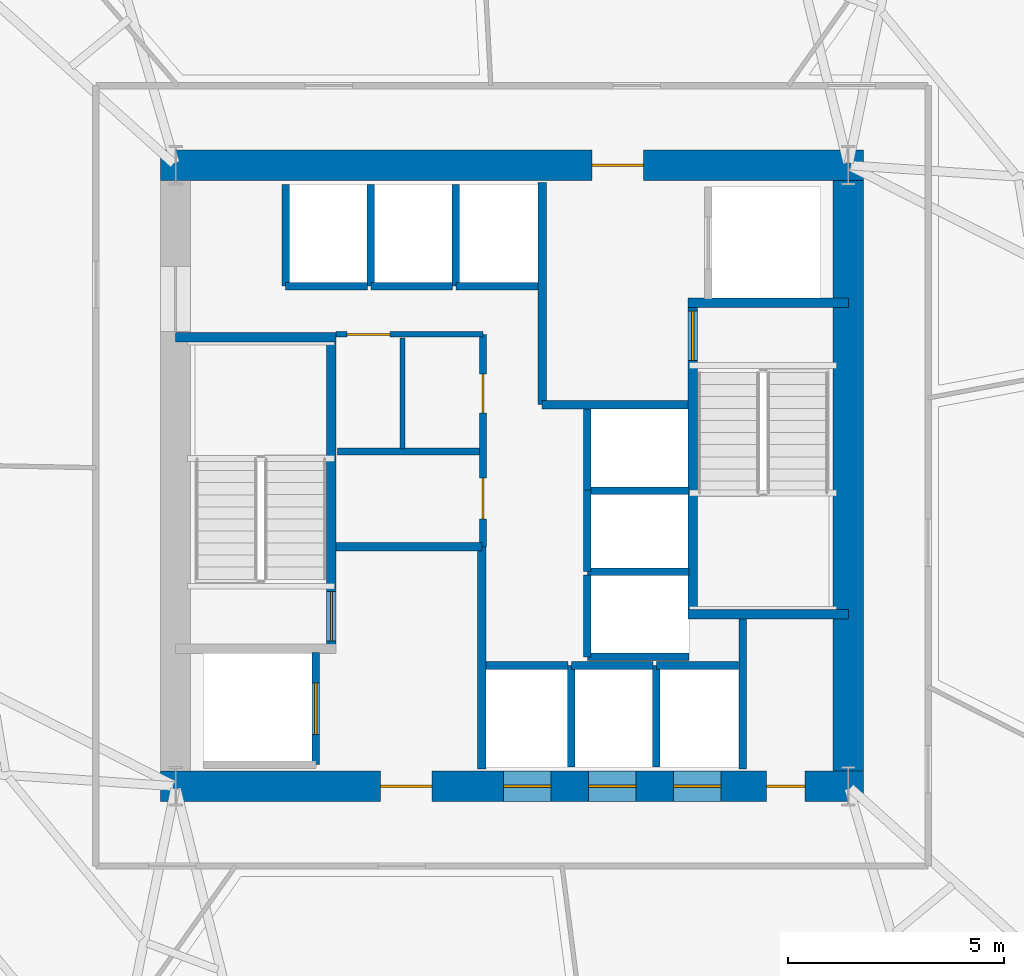
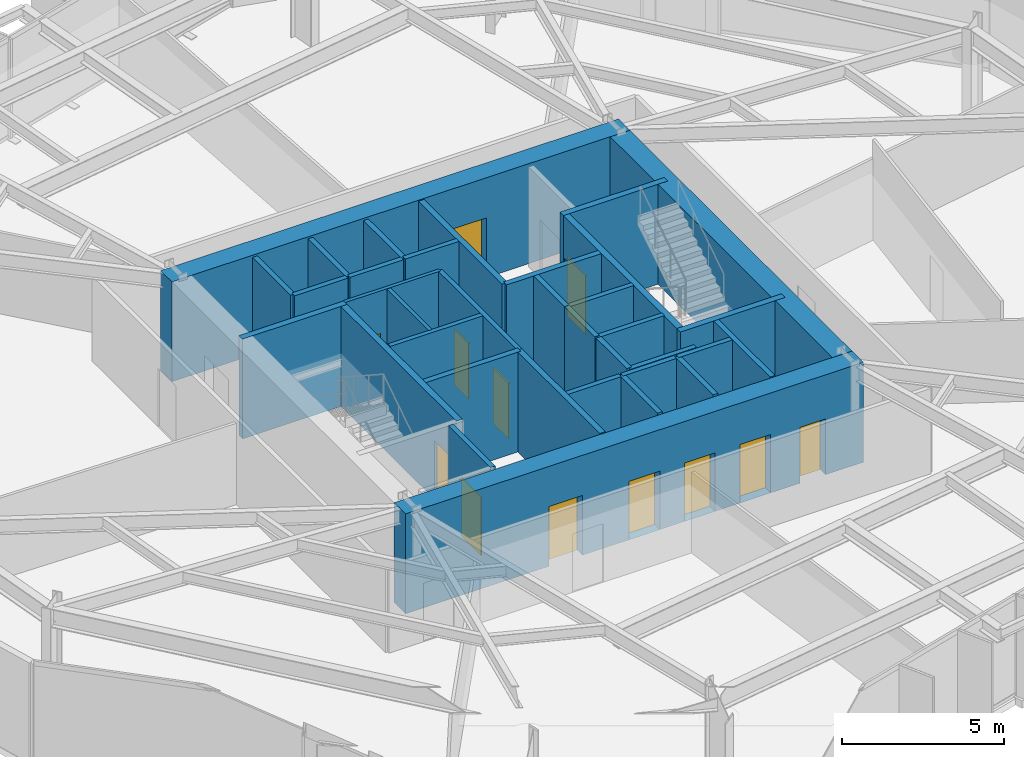
# One storey, part 6 of 10: 35 walls, 12 doors, 12 openings.
"""IFC4 building model written with IfcOpenShell, lengths in metres."""

from ifc_helpers import new_model, si_unit, direction, frame, frame_2d, origin, place, context, subcontext, project, spatial, rectangle, extrude, material, layer, layer_set, type_object, element, fill, save


model = new_model("IFC4")

# Units and contexts
model_context = context("Model", 3, precision=1e-05, world=origin(), true_north=direction((0.0, 1.0)))
body_context = subcontext(model_context, "Body", "Model", "MODEL_VIEW")
ifc_project = project(units=[si_unit("LENGTHUNIT", "METRE"), si_unit("AREAUNIT", "SQUARE_METRE"), si_unit("VOLUMEUNIT", "CUBIC_METRE"), si_unit("PLANEANGLEUNIT", "RADIAN"), si_unit("MASSUNIT", "GRAM", prefix="KILO")], contexts=[model_context])

# Site, building, storey
site_placement = place(None, origin())
site = spatial("IfcSite", under=ifc_project, at=site_placement, CompositionType="ELEMENT")
building_placement = place(site_placement, origin())
building = spatial("IfcBuilding", under=site, at=building_placement, Name="Kranzbogen Civic Tower", CompositionType="ELEMENT")
storey_placement = place(building_placement, frame((0.0, 0.0, 84.0)))
storey = spatial("IfcBuildingStorey", under=building, at=storey_placement, Name="L20", CompositionType="ELEMENT", Elevation=84.0)

# Wall, opening, door
ifc_material_1 = material(Name="Insulated Metal-Stud Gypsum Partition")
ifc_layer_1 = layer(ifc_material_1, 0.125, Name="Insulated Metal-Stud Gypsum Partition")
ifc_layer_set_1 = layer_set([ifc_layer_1], Name="Insulated Metal-Stud Gypsum Partition")
wall_type_1 = type_object("IfcWallType", Name="Acoustic Inter-Room Partition 125 mm", PredefinedType="PARTITIONING", material=ifc_layer_set_1)
wall_1_placement = place(storey_placement, frame((20.919921875, 28.280029296875, 0.0), z_axis=(0.0, 0.0, 1.0), x_axis=(1.0, 0.0, 0.0)))
wall_1 = element("IfcWall", 1, at=wall_1_placement, inside=storey, type_object=wall_type_1, Name="L20 core auxiliary North wall", PredefinedType="PARTITIONING", context=body_context, shape_type="SweptSolid", body=[
    extrude(rectangle(XDim=3.405029296875, YDim=0.125, at=frame_2d((1.70263671875, 0.0))), origin(), (0.0, 0.0, 1.0), 3.760009765625),
])
opening_1_placement = place(wall_1_placement, frame((0.2548828125, 0.0, 0.0)))
opening_1 = element("IfcOpeningElement", 2, at=opening_1_placement, cuts=wall_1, Name="Opening D-RSR10", PredefinedType="OPENING", context=body_context, shape_type="SweptSolid", body=[
    extrude(rectangle(XDim=1.0, YDim=2.14990234375, at=frame_2d((0.5, 1.074951171875))), frame((0.0, 0.072509765625, 0.0), z_axis=(0.0, -1.0, 0.0), x_axis=(1.0, 0.0, 0.0)), (0.0, 0.0, 1.0), 0.14501953125),
])
ifc_material_2 = material(Name="Oak Timber and Fire Core", Category="wood")
door_type_1 = type_object("IfcDoorType", Name="Core Archive and Riser Fire Door 1000x2150", OperationType="NOTDEFINED", PredefinedType="DOOR", material=ifc_material_2)
door_1_placement = place(opening_1_placement, origin())
door_1 = element("IfcDoor", 3, at=door_1_placement, inside=storey, type_object=door_type_1, Name="L20 Telecom and Riser Room door", OperationType="SINGLE_SWING_LEFT", OverallHeight=2.14990234375, OverallWidth=1.0, PredefinedType="DOOR", context=body_context, shape_type="SweptSolid", body=[
    extrude(rectangle(XDim=1.0, YDim=2.14990234375, at=frame_2d((0.5, 1.074951171875))), frame((0.0, 0.02490234375, 0.0), z_axis=(0.0, -1.0, 0.0), x_axis=(1.0, 0.0, 0.0)), (0.0, 0.0, 1.0), 0.050048828125),
])
fill(opening_1, door_1)

# Wall
wall_2_placement = place(storey_placement, frame((22.4599609375, 25.6201171875, 0.0), z_axis=(0.0, 0.0, 1.0), x_axis=(0.0, 1.0, 0.0)))
element("IfcWall", 4, at=wall_2_placement, inside=storey, type_object=wall_type_1, Name="L20 core auxiliary partition 2", PredefinedType="PARTITIONING", context=body_context, shape_type="SweptSolid", body=[
    extrude(rectangle(XDim=2.579833984375, YDim=0.125, at=frame_2d((1.2900390625, 0.0))), origin(), (0.0, 0.0, 1.0), 3.760009765625),
])

# Wall, openings, doors
ifc_material_3 = material(Name="Concrete C55/67", Category="concrete")
ifc_layer_2 = layer(ifc_material_3, 0.699951171875, Name="Concrete C55/67")
ifc_layer_set_2 = layer_set([ifc_layer_2], Name="Concrete C55/67")
wall_type_2 = type_object("IfcWallType", Name="Central Core Shear Wall 700 mm", PredefinedType="SHEAR", material=ifc_layer_set_2)
wall_3_placement = place(storey_placement, frame((16.85009765625, 17.800048828125, 0.0), z_axis=(0.0, 0.0, 1.0), x_axis=(1.0, 0.0, 0.0)))
wall_3 = element("IfcWall", 5, at=wall_3_placement, inside=storey, type_object=wall_type_2, Name="L20 central core South shear wall", PredefinedType="SHEAR", context=body_context, shape_type="SweptSolid", body=[
    extrude(rectangle(XDim=16.2998046875, YDim=0.699951171875, at=frame_2d((8.14990234375, 0.0))), origin(), (0.0, 0.0, 1.0), 3.760009765625),
])
opening_2_placement = place(wall_3_placement, frame((5.10009765625, 0.0, 0.0)))
opening_2 = element("IfcOpeningElement", 6, at=opening_2_placement, cuts=wall_3, Name="Opening D-EX120", PredefinedType="OPENING", context=body_context, shape_type="SweptSolid", body=[
    extrude(rectangle(XDim=1.199951171875, YDim=2.25, at=frame_2d((0.60009765625, 1.125))), frame((0.0, 0.35986328125, 0.0), z_axis=(0.0, -1.0, 0.0), x_axis=(1.0, 0.0, 0.0)), (0.0, 0.0, 1.0), 0.719970703125),
])
opening_3_placement = place(wall_3_placement, frame((14.050048828125, 0.0, 0.0)))
opening_3 = element("IfcOpeningElement", 7, at=opening_3_placement, cuts=wall_3, Name="Opening D-WC90", PredefinedType="OPENING", context=body_context, shape_type="SweptSolid", body=[
    extrude(rectangle(XDim=0.89990234375, YDim=2.10009765625, at=frame_2d((0.449951171875, 1.050048828125))), frame((0.0, 0.35986328125, 0.0), z_axis=(0.0, -1.0, 0.0), x_axis=(1.0, 0.0, 0.0)), (0.0, 0.0, 1.0), 0.719970703125),
])
opening_4_placement = place(wall_3_placement, frame((7.949951171875, 0.0, 0.0)))
opening_4 = element("IfcOpeningElement", 8, at=opening_4_placement, cuts=wall_3, Name="Opening LD-LP-01", PredefinedType="OPENING", context=body_context, shape_type="SweptSolid", body=[
    extrude(rectangle(XDim=1.10009765625, YDim=2.199951171875, at=frame_2d((0.550048828125, 1.10009765625))), frame((0.0, 0.35986328125, 0.0), z_axis=(0.0, -1.0, 0.0), x_axis=(1.0, 0.0, 0.0)), (0.0, 0.0, 1.0), 0.719970703125),
])
opening_5_placement = place(wall_3_placement, frame((9.925048828125, 0.0, 0.0)))
opening_5 = element("IfcOpeningElement", 9, at=opening_5_placement, cuts=wall_3, Name="Opening LD-LP-02", PredefinedType="OPENING", context=body_context, shape_type="SweptSolid", body=[
    extrude(rectangle(XDim=1.10009765625, YDim=2.199951171875, at=frame_2d((0.550048828125, 1.10009765625))), frame((0.0, 0.35986328125, 0.0), z_axis=(0.0, -1.0, 0.0), x_axis=(1.0, 0.0, 0.0)), (0.0, 0.0, 1.0), 0.719970703125),
])
opening_6_placement = place(wall_3_placement, frame((11.89990234375, 0.0, 0.0)))
opening_6 = element("IfcOpeningElement", 10, at=opening_6_placement, cuts=wall_3, Name="Opening LD-LP-03", PredefinedType="OPENING", context=body_context, shape_type="SweptSolid", body=[
    extrude(rectangle(XDim=1.10009765625, YDim=2.199951171875, at=frame_2d((0.550048828125, 1.10009765625))), frame((0.0, 0.35986328125, 0.0), z_axis=(0.0, -1.0, 0.0), x_axis=(1.0, 0.0, 0.0)), (0.0, 0.0, 1.0), 0.719970703125),
])
ifc_material_4 = material(Name="Steel S355", Category="steel")
door_type_2 = type_object("IfcDoorType", Name="Exit Passageway Fire Door 1200x2250", OperationType="NOTDEFINED", PredefinedType="DOOR", material=ifc_material_4)
door_2_placement = place(opening_2_placement, origin())
door_2 = element("IfcDoor", 11, at=door_2_placement, inside=storey, type_object=door_type_2, Name="L20 West firefighting lobby corridor door", OperationType="SINGLE_SWING_RIGHT", OverallHeight=2.25, OverallWidth=1.199951171875, PredefinedType="DOOR", context=body_context, shape_type="SweptSolid", body=[
    extrude(rectangle(XDim=1.199951171875, YDim=2.25, at=frame_2d((0.60009765625, 1.125))), frame((0.0, 0.02490234375, 0.0), z_axis=(0.0, -1.0, 0.0), x_axis=(1.0, 0.0, 0.0)), (0.0, 0.0, 1.0), 0.050048828125),
])
fill(opening_2, door_2)
ifc_material_5 = material(Name="Pale Anodised Aluminium", Category="aluminium")
door_type_3 = type_object("IfcDoorType", Name="Passenger Lift Sliding Landing Door 1100x2200", OperationType="DOUBLE_DOOR_SLIDING", PredefinedType="DOOR", material=ifc_material_5)
door_3_placement = place(opening_4_placement, origin())
door_3 = element("IfcDoor", 12, at=door_3_placement, inside=storey, type_object=door_type_3, Name="L20 lift LP-01 sliding landing door", OperationType="DOUBLE_DOOR_SLIDING", OverallHeight=2.199951171875, OverallWidth=1.10009765625, PredefinedType="DOOR", context=body_context, shape_type="SweptSolid", body=[
    extrude(rectangle(XDim=1.10009765625, YDim=2.199951171875, at=frame_2d((0.550048828125, 1.10009765625))), frame((0.0, 0.02490234375, 0.0), z_axis=(0.0, -1.0, 0.0), x_axis=(1.0, 0.0, 0.0)), (0.0, 0.0, 1.0), 0.050048828125),
])
fill(opening_4, door_3)
door_4_placement = place(opening_5_placement, origin())
door_4 = element("IfcDoor", 13, at=door_4_placement, inside=storey, type_object=door_type_3, Name="L20 lift LP-02 sliding landing door", OperationType="DOUBLE_DOOR_SLIDING", OverallHeight=2.199951171875, OverallWidth=1.10009765625, PredefinedType="DOOR", context=body_context, shape_type="SweptSolid", body=[
    extrude(rectangle(XDim=1.10009765625, YDim=2.199951171875, at=frame_2d((0.550048828125, 1.10009765625))), frame((0.0, 0.02490234375, 0.0), z_axis=(0.0, -1.0, 0.0), x_axis=(1.0, 0.0, 0.0)), (0.0, 0.0, 1.0), 0.050048828125),
])
fill(opening_5, door_4)
door_5_placement = place(opening_6_placement, origin())
door_5 = element("IfcDoor", 14, at=door_5_placement, inside=storey, type_object=door_type_3, Name="L20 lift LP-03 sliding landing door", OperationType="DOUBLE_DOOR_SLIDING", OverallHeight=2.199951171875, OverallWidth=1.10009765625, PredefinedType="DOOR", context=body_context, shape_type="SweptSolid", body=[
    extrude(rectangle(XDim=1.10009765625, YDim=2.199951171875, at=frame_2d((0.550048828125, 1.10009765625))), frame((0.0, 0.02490234375, 0.0), z_axis=(0.0, -1.0, 0.0), x_axis=(1.0, 0.0, 0.0)), (0.0, 0.0, 1.0), 0.050048828125),
])
fill(opening_6, door_5)
ifc_material_6 = material(Name="Moisture-Resistant Laminate")
door_type_4 = type_object("IfcDoorType", Name="Standard Restroom and Store Door 900x2100", OperationType="NOTDEFINED", PredefinedType="DOOR", material=ifc_material_6)
door_6_placement = place(opening_3_placement, origin())
door_6 = element("IfcDoor", 15, at=door_6_placement, inside=storey, type_object=door_type_4, Name="L20 East electrical riser access door", OperationType="SINGLE_SWING_LEFT", OverallHeight=2.10009765625, OverallWidth=0.89990234375, PredefinedType="DOOR", context=body_context, shape_type="SweptSolid", body=[
    extrude(rectangle(XDim=0.89990234375, YDim=2.10009765625, at=frame_2d((0.449951171875, 1.050048828125))), frame((0.0, 0.02490234375, 0.0), z_axis=(0.0, -1.0, 0.0), x_axis=(1.0, 0.0, 0.0)), (0.0, 0.0, 1.0), 0.050048828125),
])
fill(opening_3, door_6)

# Wall, opening, door
wall_4_placement = place(storey_placement, frame((33.14990234375, 32.199951171875, 0.0), z_axis=(0.0, 0.0, 1.0), x_axis=(-1.0, 0.0, 0.0)))
wall_4 = element("IfcWall", 16, at=wall_4_placement, inside=storey, type_object=wall_type_2, Name="L20 central core North shear wall", PredefinedType="SHEAR", context=body_context, shape_type="SweptSolid", body=[
    extrude(rectangle(XDim=16.2998046875, YDim=0.699951171875, at=frame_2d((8.14990234375, 0.0))), origin(), (0.0, 0.0, 1.0), 3.760009765625),
])
opening_7_placement = place(wall_4_placement, frame((5.10009765625, 0.0, 0.0)))
opening_7 = element("IfcOpeningElement", 17, at=opening_7_placement, cuts=wall_4, Name="Opening D-EX120", PredefinedType="OPENING", context=body_context, shape_type="SweptSolid", body=[
    extrude(rectangle(XDim=1.199951171875, YDim=2.25, at=frame_2d((0.60009765625, 1.125))), frame((0.0, 0.35986328125, 0.0), z_axis=(0.0, -1.0, 0.0), x_axis=(1.0, 0.0, 0.0)), (0.0, 0.0, 1.0), 0.719970703125),
])
door_7_placement = place(opening_7_placement, origin())
door_7 = element("IfcDoor", 18, at=door_7_placement, inside=storey, type_object=door_type_2, Name="L20 East firefighting lobby corridor door", OperationType="SINGLE_SWING_LEFT", OverallHeight=2.25, OverallWidth=1.199951171875, PredefinedType="DOOR", context=body_context, shape_type="SweptSolid", body=[
    extrude(rectangle(XDim=1.199951171875, YDim=2.25, at=frame_2d((0.60009765625, 1.125))), frame((0.0, 0.02490234375, 0.0), z_axis=(0.0, -1.0, 0.0), x_axis=(1.0, 0.0, 0.0)), (0.0, 0.0, 1.0), 0.050048828125),
])
fill(opening_7, door_7)

# Wall
wall_5_placement = place(storey_placement, frame((32.800048828125, 18.14990234375, 0.0), z_axis=(0.0, 0.0, 1.0), x_axis=(0.0, 1.0, 0.0)))
element("IfcWall", 19, at=wall_5_placement, inside=storey, type_object=wall_type_2, Name="L20 central core East shear wall", PredefinedType="SHEAR", context=body_context, shape_type="SweptSolid", body=[
    extrude(rectangle(XDim=13.7001953125, YDim=0.699951171875, at=frame_2d((6.85009765625, 0.0))), origin(), (0.0, 0.0, 1.0), 3.760009765625),
])

# Wall, opening, door
ifc_material_7 = material(Name="Concrete C45/55", Category="concrete")
ifc_layer_3 = layer(ifc_material_7, 0.219970703125, Name="Concrete C45/55")
ifc_layer_set_3 = layer_set([ifc_layer_3], Name="Concrete C45/55")
wall_type_3 = type_object("IfcWallType", Name="Core Internal Stair Structural Wall 220 mm", PredefinedType="SOLIDWALL", material=ifc_layer_set_3)
wall_6_placement = place(storey_placement, frame((20.81005859375, 20.989990234375, 0.0), z_axis=(0.0, 0.0, 1.0), x_axis=(0.0, 1.0, 0.0)))
wall_6 = element("IfcWall", 20, at=wall_6_placement, inside=storey, type_object=wall_type_3, Name="L20 ST-T1 East structural stair wall", PredefinedType="SOLIDWALL", context=body_context, shape_type="SweptSolid", body=[
    extrude(rectangle(XDim=7.219970703125, YDim=0.219970703125, at=frame_2d((3.60986328125, 0.0))), origin(), (0.0, 0.0, 1.0), 3.760009765625),
])
opening_8_placement = place(wall_6_placement, frame((0.179931640625, 0.0, 0.0)))
opening_8 = element("IfcOpeningElement", 21, at=opening_8_placement, cuts=wall_6, Name="Opening D-ST90", PredefinedType="OPENING", context=body_context, shape_type="SweptSolid", body=[
    extrude(rectangle(XDim=1.14990234375, YDim=2.199951171875, at=frame_2d((0.574951171875, 1.10009765625))), frame((0.0, 0.1201171875, 0.0), z_axis=(0.0, -1.0, 0.0), x_axis=(1.0, 0.0, 0.0)), (0.0, 0.0, 1.0), 0.239990234375),
])
door_type_5 = type_object("IfcDoorType", Name="Pressurized Stair and Lobby Fire Door 1150x2200", OperationType="NOTDEFINED", PredefinedType="DOOR", material=ifc_material_4)
door_8_placement = place(opening_8_placement, origin())
door_8 = element("IfcDoor", 22, at=door_8_placement, inside=storey, type_object=door_type_5, Name="L20 Stair ST-T1 fire door", OperationType="SINGLE_SWING_RIGHT", OverallHeight=2.199951171875, OverallWidth=1.14990234375, PredefinedType="DOOR", context=body_context, shape_type="SweptSolid", body=[
    extrude(rectangle(XDim=1.14990234375, YDim=2.199951171875, at=frame_2d((0.574951171875, 1.10009765625))), frame((0.0, 0.02490234375, 0.0), z_axis=(0.0, -1.0, 0.0), x_axis=(1.0, 0.0, 0.0)), (0.0, 0.0, 1.0), 0.050048828125),
])
fill(opening_8, door_8)

# Wall
wall_7_placement = place(storey_placement, frame((17.199951171875, 28.2099609375, 0.0), z_axis=(0.0, 0.0, 1.0), x_axis=(1.0, 0.0, 0.0)))
element("IfcWall", 23, at=wall_7_placement, inside=storey, type_object=wall_type_3, Name="L20 ST-T1 North structural stair wall", PredefinedType="SOLIDWALL", context=body_context, shape_type="SweptSolid", body=[
    extrude(rectangle(XDim=3.719970703125, YDim=0.219970703125, at=frame_2d((1.85986328125, 0.0))), origin(), (0.0, 0.0, 1.0), 3.760009765625),
])

# Wall, opening, door
wall_8_placement = place(storey_placement, frame((29.18994140625, 21.7900390625, 0.0), z_axis=(0.0, 0.0, 1.0), x_axis=(0.0, 1.0, 0.0)))
wall_8 = element("IfcWall", 24, at=wall_8_placement, inside=storey, type_object=wall_type_3, Name="L20 ST-T2 West structural stair wall", PredefinedType="SOLIDWALL", context=body_context, shape_type="SweptSolid", body=[
    extrude(rectangle(XDim=7.219970703125, YDim=0.219970703125, at=frame_2d((3.60986328125, 0.0))), origin(), (0.0, 0.0, 1.0), 3.760009765625),
])
opening_9_placement = place(wall_8_placement, frame((5.8798828125, 0.0, 0.0)))
opening_9 = element("IfcOpeningElement", 25, at=opening_9_placement, cuts=wall_8, Name="Opening D-ST90", PredefinedType="OPENING", context=body_context, shape_type="SweptSolid", body=[
    extrude(rectangle(XDim=1.14990234375, YDim=2.199951171875, at=frame_2d((0.574951171875, 1.10009765625))), frame((0.0, 0.1201171875, 0.0), z_axis=(0.0, -1.0, 0.0), x_axis=(1.0, 0.0, 0.0)), (0.0, 0.0, 1.0), 0.239990234375),
])
door_9_placement = place(opening_9_placement, origin())
door_9 = element("IfcDoor", 26, at=door_9_placement, inside=storey, type_object=door_type_5, Name="L20 Stair ST-T2 fire door", OperationType="SINGLE_SWING_LEFT", OverallHeight=2.199951171875, OverallWidth=1.14990234375, PredefinedType="DOOR", context=body_context, shape_type="SweptSolid", body=[
    extrude(rectangle(XDim=1.14990234375, YDim=2.199951171875, at=frame_2d((0.574951171875, 1.10009765625))), frame((0.0, 0.02490234375, 0.0), z_axis=(0.0, -1.0, 0.0), x_axis=(1.0, 0.0, 0.0)), (0.0, 0.0, 1.0), 0.050048828125),
])
fill(opening_9, door_9)

# Walls
for number, where, z_axis, x_axis, name in (
    (27, (29.080078125, 21.7900390625, 0.0), (0.0, 0.0, 1.0), (1.0, 0.0, 0.0), "L20 ST-T2 South structural stair wall"),
    (28, (29.080078125, 29.010009765625, 0.0), (0.0, 0.0, 1.0), (1.0, 0.0, 0.0), "L20 ST-T2 North structural stair wall"),
):
    element("IfcWall", number, at=place(storey_placement, frame(where, z_axis=z_axis, x_axis=x_axis)), inside=storey, type_object=wall_type_3, Name=name, PredefinedType="SOLIDWALL", context=body_context, shape_type="SweptSolid", body=[
        extrude(rectangle(XDim=3.719970703125, YDim=0.219970703125, at=frame_2d((1.85986328125, 0.0))), origin(), (0.0, 0.0, 1.0), 3.760009765625),
    ])
ifc_material_8 = material(Name="Gypsum Fireboard and Concrete Block", Category="concrete")
ifc_layer_4 = layer(ifc_material_8, 0.199951171875, Name="Gypsum Fireboard and Concrete Block")
ifc_layer_set_4 = layer_set([ifc_layer_4], Name="Gypsum Fireboard and Concrete Block")
wall_type_4 = type_object("IfcWallType", Name="Fire-Rated Exit Passageway and Stair Wall 200 mm", PredefinedType="PARTITIONING", material=ifc_layer_set_4)
wall_9_placement = place(storey_placement, frame((24.300048828125, 18.199951171875, 0.0), z_axis=(0.0, 0.0, 1.0), x_axis=(0.0, 1.0, 0.0)))
element("IfcWall", 29, at=wall_9_placement, inside=storey, type_object=wall_type_4, Name="L20 West firefighting lobby East wall", PredefinedType="PARTITIONING", context=body_context, shape_type="SweptSolid", body=[
    extrude(rectangle(XDim=5.150146484375, YDim=0.199951171875, at=frame_2d((2.5751953125, 0.0))), origin(), (0.0, 0.0, 1.0), 3.760009765625),
])
wall_10_placement = place(storey_placement, frame((20.919921875, 23.35009765625, 0.0), z_axis=(0.0, 0.0, 1.0), x_axis=(1.0, 0.0, 0.0)))
element("IfcWall", 30, at=wall_10_placement, inside=storey, type_object=wall_type_4, Name="L20 West firefighting lobby North wall", PredefinedType="PARTITIONING", context=body_context, shape_type="SweptSolid", body=[
    extrude(rectangle(XDim=3.380126953125, YDim=0.199951171875, at=frame_2d((1.68994140625, 0.0))), origin(), (0.0, 0.0, 1.0), 3.760009765625),
])
wall_11_placement = place(storey_placement, frame((25.699951171875, 26.64990234375, 0.0), z_axis=(0.0, 0.0, 1.0), x_axis=(0.0, 1.0, 0.0)))
element("IfcWall", 31, at=wall_11_placement, inside=storey, type_object=wall_type_4, Name="L20 East firefighting lobby West wall", PredefinedType="PARTITIONING", context=body_context, shape_type="SweptSolid", body=[
    extrude(rectangle(XDim=5.150146484375, YDim=0.199951171875, at=frame_2d((2.5751953125, 0.0))), origin(), (0.0, 0.0, 1.0), 3.760009765625),
])
wall_12_placement = place(storey_placement, frame((25.699951171875, 26.64990234375, 0.0), z_axis=(0.0, 0.0, 1.0), x_axis=(1.0, 0.0, 0.0)))
element("IfcWall", 32, at=wall_12_placement, inside=storey, type_object=wall_type_4, Name="L20 East firefighting lobby South wall", PredefinedType="PARTITIONING", context=body_context, shape_type="SweptSolid", body=[
    extrude(rectangle(XDim=3.380126953125, YDim=0.199951171875, at=frame_2d((1.68994140625, 0.0))), origin(), (0.0, 0.0, 1.0), 3.760009765625),
])
ifc_material_9 = material(Name="Gypsum Fireboard Shaftliner")
ifc_layer_5 = layer(ifc_material_9, 0.175048828125, Name="Gypsum Fireboard Shaftliner")
ifc_layer_set_5 = layer_set([ifc_layer_5], Name="Gypsum Fireboard Shaftliner")
wall_type_5 = type_object("IfcWallType", Name="Fire-Rated Lift and Service Shaft Wall 175 mm", PredefinedType="PARTITIONING", material=ifc_layer_set_5)
wall_13_placement = place(storey_placement, frame((30.35009765625, 18.199951171875, 0.0), z_axis=(0.0, 0.0, 1.0), x_axis=(0.0, 1.0, 0.0)))
element("IfcWall", 33, at=wall_13_placement, inside=storey, type_object=wall_type_5, Name="L20 East core riser West wall", PredefinedType="PARTITIONING", context=body_context, shape_type="SweptSolid", body=[
    extrude(rectangle(XDim=3.47998046875, YDim=0.175048828125, at=frame_2d((1.739990234375, 0.0))), origin(), (0.0, 0.0, 1.0), 3.760009765625),
])
wall_14_placement = place(storey_placement, frame((24.39990234375, 20.60009765625, 0.0), z_axis=(0.0, 0.0, 1.0), x_axis=(1.0, 0.0, 0.0)))
element("IfcWall", 34, at=wall_14_placement, inside=storey, type_object=wall_type_5, Name="L20 lift LP-01 rear wall", PredefinedType="PARTITIONING", context=body_context, shape_type="SweptSolid", body=[
    extrude(rectangle(XDim=1.900146484375, YDim=0.175048828125, at=frame_2d((0.9501953125, 0.0))), origin(), (0.0, 0.0, 1.0), 3.760009765625),
])
wall_15_placement = place(storey_placement, frame((26.375, 20.60009765625, 0.0), z_axis=(0.0, 0.0, 1.0), x_axis=(1.0, 0.0, 0.0)))
element("IfcWall", 35, at=wall_15_placement, inside=storey, type_object=wall_type_5, Name="L20 lift LP-02 rear wall", PredefinedType="PARTITIONING", context=body_context, shape_type="SweptSolid", body=[
    extrude(rectangle(XDim=1.89990234375, YDim=0.175048828125, at=frame_2d((0.949951171875, 0.0))), origin(), (0.0, 0.0, 1.0), 3.760009765625),
])
wall_16_placement = place(storey_placement, frame((26.375, 18.25, 0.0), z_axis=(0.0, 0.0, 1.0), x_axis=(0.0, 1.0, 0.0)))
element("IfcWall", 36, at=wall_16_placement, inside=storey, type_object=wall_type_5, Name="L20 lift LP-02 side wall", PredefinedType="PARTITIONING", context=body_context, shape_type="SweptSolid", body=[
    extrude(rectangle(XDim=2.35009765625, YDim=0.175048828125, at=frame_2d((1.175048828125, 0.0))), origin(), (0.0, 0.0, 1.0), 3.760009765625),
])
wall_17_placement = place(storey_placement, frame((28.35009765625, 20.60009765625, 0.0), z_axis=(0.0, 0.0, 1.0), x_axis=(1.0, 0.0, 0.0)))
element("IfcWall", 37, at=wall_17_placement, inside=storey, type_object=wall_type_5, Name="L20 lift LP-03 rear wall", PredefinedType="PARTITIONING", context=body_context, shape_type="SweptSolid", body=[
    extrude(rectangle(XDim=1.89990234375, YDim=0.175048828125, at=frame_2d((0.949951171875, 0.0))), origin(), (0.0, 0.0, 1.0), 3.760009765625),
])
wall_18_placement = place(storey_placement, frame((28.35009765625, 18.25, 0.0), z_axis=(0.0, 0.0, 1.0), x_axis=(0.0, 1.0, 0.0)))
element("IfcWall", 38, at=wall_18_placement, inside=storey, type_object=wall_type_5, Name="L20 lift LP-03 side wall", PredefinedType="PARTITIONING", context=body_context, shape_type="SweptSolid", body=[
    extrude(rectangle(XDim=2.35009765625, YDim=0.175048828125, at=frame_2d((1.175048828125, 0.0))), origin(), (0.0, 0.0, 1.0), 3.760009765625),
])
wall_19_placement = place(storey_placement, frame((19.75, 29.39990234375, 0.0), z_axis=(0.0, 0.0, 1.0), x_axis=(1.0, 0.0, 0.0)))
element("IfcWall", 39, at=wall_19_placement, inside=storey, type_object=wall_type_5, Name="L20 lift MP-01 rear wall", PredefinedType="PARTITIONING", context=body_context, shape_type="SweptSolid", body=[
    extrude(rectangle(XDim=1.89990234375, YDim=0.175048828125, at=frame_2d((0.949951171875, 0.0))), origin(), (0.0, 0.0, 1.0), 3.760009765625),
])
wall_20_placement = place(storey_placement, frame((19.75, 29.39990234375, 0.0), z_axis=(0.0, 0.0, 1.0), x_axis=(0.0, 1.0, 0.0)))
element("IfcWall", 40, at=wall_20_placement, inside=storey, type_object=wall_type_5, Name="L20 lift MP-01 side wall", PredefinedType="PARTITIONING", context=body_context, shape_type="SweptSolid", body=[
    extrude(rectangle(XDim=2.35009765625, YDim=0.175048828125, at=frame_2d((1.175048828125, 0.0))), origin(), (0.0, 0.0, 1.0), 3.760009765625),
])
wall_21_placement = place(storey_placement, frame((21.72509765625, 29.39990234375, 0.0), z_axis=(0.0, 0.0, 1.0), x_axis=(1.0, 0.0, 0.0)))
element("IfcWall", 41, at=wall_21_placement, inside=storey, type_object=wall_type_5, Name="L20 lift MP-02 rear wall", PredefinedType="PARTITIONING", context=body_context, shape_type="SweptSolid", body=[
    extrude(rectangle(XDim=1.89990234375, YDim=0.175048828125, at=frame_2d((0.949951171875, 0.0))), origin(), (0.0, 0.0, 1.0), 3.760009765625),
])
wall_22_placement = place(storey_placement, frame((21.72509765625, 29.39990234375, 0.0), z_axis=(0.0, 0.0, 1.0), x_axis=(0.0, 1.0, 0.0)))
element("IfcWall", 42, at=wall_22_placement, inside=storey, type_object=wall_type_5, Name="L20 lift MP-02 side wall", PredefinedType="PARTITIONING", context=body_context, shape_type="SweptSolid", body=[
    extrude(rectangle(XDim=2.35009765625, YDim=0.175048828125, at=frame_2d((1.175048828125, 0.0))), origin(), (0.0, 0.0, 1.0), 3.760009765625),
])
wall_23_placement = place(storey_placement, frame((23.699951171875, 29.39990234375, 0.0), z_axis=(0.0, 0.0, 1.0), x_axis=(1.0, 0.0, 0.0)))
element("IfcWall", 43, at=wall_23_placement, inside=storey, type_object=wall_type_5, Name="L20 lift MP-03 rear wall", PredefinedType="PARTITIONING", context=body_context, shape_type="SweptSolid", body=[
    extrude(rectangle(XDim=1.900146484375, YDim=0.175048828125, at=frame_2d((0.9501953125, 0.0))), origin(), (0.0, 0.0, 1.0), 3.760009765625),
])
wall_24_placement = place(storey_placement, frame((23.699951171875, 29.39990234375, 0.0), z_axis=(0.0, 0.0, 1.0), x_axis=(0.0, 1.0, 0.0)))
element("IfcWall", 44, at=wall_24_placement, inside=storey, type_object=wall_type_5, Name="L20 lift MP-03 side wall", PredefinedType="PARTITIONING", context=body_context, shape_type="SweptSolid", body=[
    extrude(rectangle(XDim=2.35009765625, YDim=0.175048828125, at=frame_2d((1.175048828125, 0.0))), origin(), (0.0, 0.0, 1.0), 3.760009765625),
])
wall_25_placement = place(storey_placement, frame((26.75, 20.800048828125, 0.0), z_axis=(0.0, 0.0, 1.0), x_axis=(0.0, 1.0, 0.0)))
element("IfcWall", 45, at=wall_25_placement, inside=storey, type_object=wall_type_5, Name="L20 lift HP-01 landing wall", PredefinedType="PARTITIONING", context=body_context, shape_type="SweptSolid", body=[
    extrude(rectangle(XDim=1.89990234375, YDim=0.175048828125, at=frame_2d((0.949951171875, 0.0))), origin(), (0.0, 0.0, 1.0), 3.760009765625),
])
wall_26_placement = place(storey_placement, frame((26.75, 20.800048828125, 0.0), z_axis=(0.0, 0.0, 1.0), x_axis=(1.0, 0.0, 0.0)))
element("IfcWall", 46, at=wall_26_placement, inside=storey, type_object=wall_type_5, Name="L20 lift HP-01 side wall", PredefinedType="PARTITIONING", context=body_context, shape_type="SweptSolid", body=[
    extrude(rectangle(XDim=2.35009765625, YDim=0.175048828125, at=frame_2d((1.175048828125, 0.0))), origin(), (0.0, 0.0, 1.0), 3.760009765625),
])
wall_27_placement = place(storey_placement, frame((26.75, 22.77490234375, 0.0), z_axis=(0.0, 0.0, 1.0), x_axis=(0.0, 1.0, 0.0)))
element("IfcWall", 47, at=wall_27_placement, inside=storey, type_object=wall_type_5, Name="L20 lift HP-02 landing wall", PredefinedType="PARTITIONING", context=body_context, shape_type="SweptSolid", body=[
    extrude(rectangle(XDim=1.900146484375, YDim=0.175048828125, at=frame_2d((0.9501953125, 0.0))), origin(), (0.0, 0.0, 1.0), 3.760009765625),
])
wall_28_placement = place(storey_placement, frame((26.75, 22.77490234375, 0.0), z_axis=(0.0, 0.0, 1.0), x_axis=(1.0, 0.0, 0.0)))
element("IfcWall", 48, at=wall_28_placement, inside=storey, type_object=wall_type_5, Name="L20 lift HP-02 side wall", PredefinedType="PARTITIONING", context=body_context, shape_type="SweptSolid", body=[
    extrude(rectangle(XDim=2.35009765625, YDim=0.175048828125, at=frame_2d((1.175048828125, 0.0))), origin(), (0.0, 0.0, 1.0), 3.760009765625),
])
wall_29_placement = place(storey_placement, frame((26.75, 24.64990234375, 0.0), z_axis=(0.0, 0.0, 1.0), x_axis=(0.0, 1.0, 0.0)))
element("IfcWall", 49, at=wall_29_placement, inside=storey, type_object=wall_type_5, Name="L20 lift HP-03 landing wall", PredefinedType="PARTITIONING", context=body_context, shape_type="SweptSolid", body=[
    extrude(rectangle(XDim=1.900146484375, YDim=0.175048828125, at=frame_2d((0.9501953125, 0.0))), origin(), (0.0, 0.0, 1.0), 3.760009765625),
])
wall_30_placement = place(storey_placement, frame((26.75, 24.64990234375, 0.0), z_axis=(0.0, 0.0, 1.0), x_axis=(1.0, 0.0, 0.0)))
element("IfcWall", 50, at=wall_30_placement, inside=storey, type_object=wall_type_5, Name="L20 lift HP-03 side wall", PredefinedType="PARTITIONING", context=body_context, shape_type="SweptSolid", body=[
    extrude(rectangle(XDim=2.35009765625, YDim=0.175048828125, at=frame_2d((1.175048828125, 0.0))), origin(), (0.0, 0.0, 1.0), 3.760009765625),
])

# Wall, opening, door
wall_31_placement = place(storey_placement, frame((20.449951171875, 18.300048828125, 0.0), z_axis=(0.0, 0.0, 1.0), x_axis=(0.0, 1.0, 0.0)))
wall_31 = element("IfcWall", 51, at=wall_31_placement, inside=storey, type_object=wall_type_5, Name="L20 lift FF-01 landing wall", PredefinedType="PARTITIONING", context=body_context, shape_type="SweptSolid", body=[
    extrude(rectangle(XDim=2.599853515625, YDim=0.175048828125, at=frame_2d((1.2998046875, 0.0))), origin(), (0.0, 0.0, 1.0), 3.760009765625),
])
opening_10_placement = place(wall_31_placement, frame((0.699951171875, 0.0, 0.0)))
opening_10 = element("IfcOpeningElement", 52, at=opening_10_placement, cuts=wall_31, Name="Opening LD-FF-01", PredefinedType="OPENING", context=body_context, shape_type="SweptSolid", body=[
    extrude(rectangle(XDim=1.199951171875, YDim=2.199951171875, at=frame_2d((0.60009765625, 1.10009765625))), frame((0.0, 0.09765625, 0.0), z_axis=(0.0, -1.0, 0.0), x_axis=(1.0, 0.0, 0.0)), (0.0, 0.0, 1.0), 0.195068359375),
])
door_type_6 = type_object("IfcDoorType", Name="Firefighting and Stretcher Lift Sliding Landing Door 1200x2200", OperationType="DOUBLE_DOOR_SLIDING", PredefinedType="DOOR", material=ifc_material_5)
door_10_placement = place(opening_10_placement, origin())
door_10 = element("IfcDoor", 53, at=door_10_placement, inside=storey, type_object=door_type_6, Name="L20 lift FF-01 sliding landing door", OperationType="DOUBLE_DOOR_SLIDING", OverallHeight=2.199951171875, OverallWidth=1.199951171875, PredefinedType="DOOR", context=body_context, shape_type="SweptSolid", body=[
    extrude(rectangle(XDim=1.199951171875, YDim=2.199951171875, at=frame_2d((0.60009765625, 1.10009765625))), frame((0.0, 0.02490234375, 0.0), z_axis=(0.0, -1.0, 0.0), x_axis=(1.0, 0.0, 0.0)), (0.0, 0.0, 1.0), 0.050048828125),
])
fill(opening_10, door_10)

# Wall, openings, doors
ifc_material_10 = material(Name="Moisture-Resistant Gypsum Assembly")
ifc_layer_6 = layer(ifc_material_10, 0.159912109375, Name="Moisture-Resistant Gypsum Assembly")
ifc_layer_set_6 = layer_set([ifc_layer_6], Name="Moisture-Resistant Gypsum Assembly")
wall_type_6 = type_object("IfcWallType", Name="Sanitary and Plumbing Wet Wall 160 mm", PredefinedType="PLUMBINGWALL", material=ifc_layer_set_6)
wall_32_placement = place(storey_placement, frame((24.324951171875, 23.35009765625, 0.0), z_axis=(0.0, 0.0, 1.0), x_axis=(0.0, 1.0, 0.0)))
wall_32 = element("IfcWall", 54, at=wall_32_placement, inside=storey, type_object=wall_type_6, Name="L20 core auxiliary East wall", PredefinedType="PLUMBINGWALL", context=body_context, shape_type="SweptSolid", body=[
    extrude(rectangle(XDim=4.929931640625, YDim=0.159912109375, at=frame_2d((2.46484375, 0.0))), origin(), (0.0, 0.0, 1.0), 3.760009765625),
])
opening_11_placement = place(wall_32_placement, frame((0.64990234375, 0.0, 0.0)))
opening_11 = element("IfcOpeningElement", 55, at=opening_11_placement, cuts=wall_32, Name="Opening D-AWC95", PredefinedType="OPENING", context=body_context, shape_type="SweptSolid", body=[
    extrude(rectangle(XDim=0.949951171875, YDim=2.10009765625, at=frame_2d((0.47509765625, 1.050048828125))), frame((0.0, 0.08984375, 0.0), z_axis=(0.0, -1.0, 0.0), x_axis=(1.0, 0.0, 0.0)), (0.0, 0.0, 1.0), 0.179931640625),
])
opening_12_placement = place(wall_32_placement, frame((3.110107421875, 0.0, 0.0)))
opening_12 = element("IfcOpeningElement", 56, at=opening_12_placement, cuts=wall_32, Name="Opening D-WC90", PredefinedType="OPENING", context=body_context, shape_type="SweptSolid", body=[
    extrude(rectangle(XDim=0.89990234375, YDim=2.10009765625, at=frame_2d((0.449951171875, 1.050048828125))), frame((0.0, 0.08984375, 0.0), z_axis=(0.0, -1.0, 0.0), x_axis=(1.0, 0.0, 0.0)), (0.0, 0.0, 1.0), 0.179931640625),
])
door_type_7 = type_object("IfcDoorType", Name="Accessible Restroom Door 950x2100", OperationType="NOTDEFINED", PredefinedType="DOOR", material=ifc_material_6)
door_11_placement = place(opening_11_placement, origin())
door_11 = element("IfcDoor", 57, at=door_11_placement, inside=storey, type_object=door_type_7, Name="L20 Accessible Restroom door", OperationType="SINGLE_SWING_RIGHT", OverallHeight=2.10009765625, OverallWidth=0.949951171875, PredefinedType="DOOR", context=body_context, shape_type="SweptSolid", body=[
    extrude(rectangle(XDim=0.949951171875, YDim=2.10009765625, at=frame_2d((0.47509765625, 1.050048828125))), frame((0.0, 0.02490234375, 0.0), z_axis=(0.0, -1.0, 0.0), x_axis=(1.0, 0.0, 0.0)), (0.0, 0.0, 1.0), 0.050048828125),
])
fill(opening_11, door_11)
door_12_placement = place(opening_12_placement, origin())
door_12 = element("IfcDoor", 58, at=door_12_placement, inside=storey, type_object=door_type_4, Name="L20 Staff Restroom door", OperationType="SINGLE_SWING_RIGHT", OverallHeight=2.10009765625, OverallWidth=0.89990234375, PredefinedType="DOOR", context=body_context, shape_type="SweptSolid", body=[
    extrude(rectangle(XDim=0.89990234375, YDim=2.10009765625, at=frame_2d((0.449951171875, 1.050048828125))), frame((0.0, 0.02490234375, 0.0), z_axis=(0.0, -1.0, 0.0), x_axis=(1.0, 0.0, 0.0)), (0.0, 0.0, 1.0), 0.050048828125),
])
fill(opening_12, door_12)

# Wall
wall_33_placement = place(storey_placement, frame((20.949951171875, 25.56005859375, 0.0), z_axis=(0.0, 0.0, 1.0), x_axis=(1.0, 0.0, 0.0)))
element("IfcWall", 59, at=wall_33_placement, inside=storey, type_object=wall_type_6, Name="L20 core auxiliary partition 1", PredefinedType="PLUMBINGWALL", context=body_context, shape_type="SweptSolid", body=[
    extrude(rectangle(XDim=3.300048828125, YDim=0.159912109375, at=frame_2d((1.64990234375, 0.0))), origin(), (0.0, 0.0, 1.0), 3.760009765625),
])

save(model, "model.ifc")
